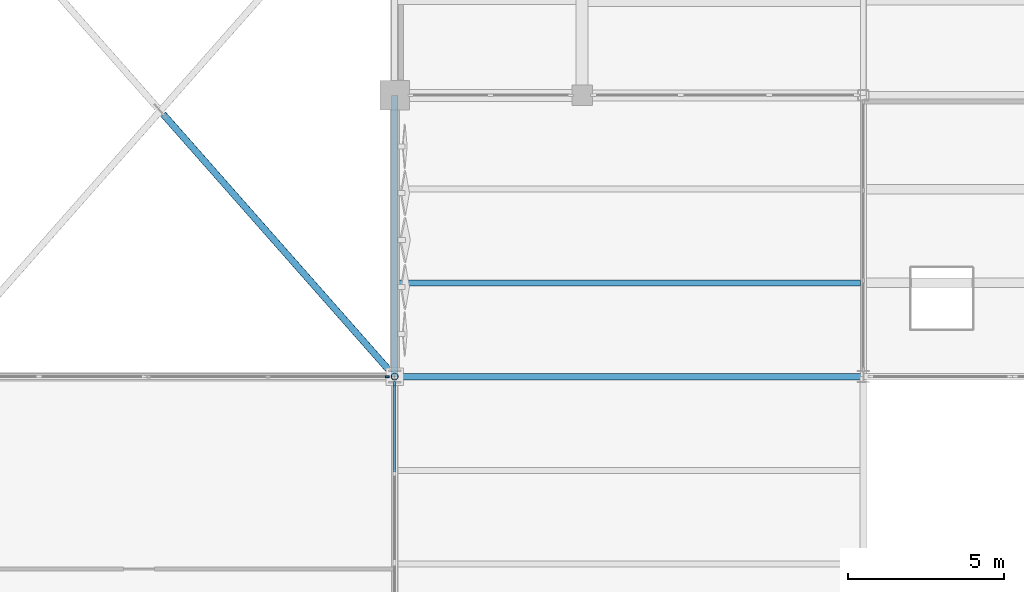
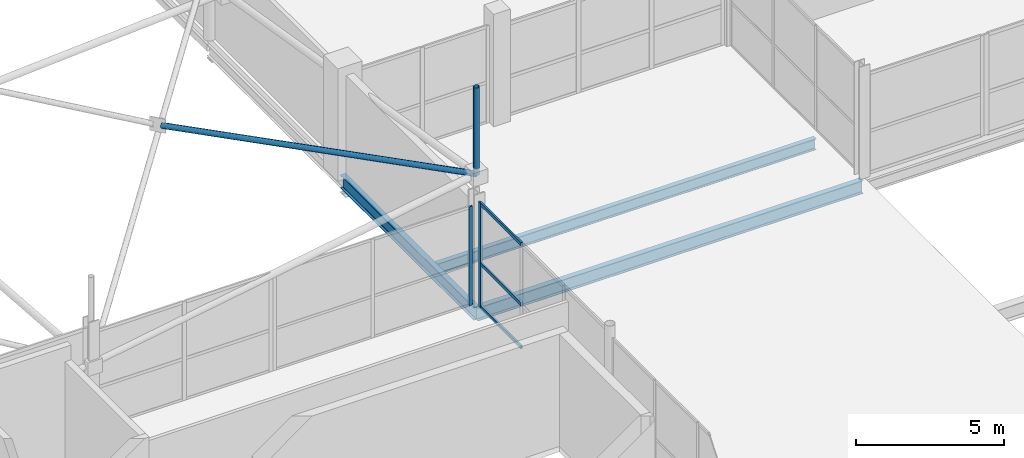
# One storey, part 123 of 224: 7 members, 3 beams, 2 elements without a shape of their own.
"""IFC4 building model written with IfcOpenShell, lengths in metres."""

from ifc_helpers import new_model, si_unit, direction, frame, origin, origin_2d, place, context, subcontext, project, spatial, rectangle, hollow_circle, i_section, extrude, material, layer, layer_set, material_profile, profile_set, type_object, element, aggregate, save


model = new_model("IFC4")

# Units and contexts
model_context = context("Model", 3, precision=1e-05, world=origin(), true_north=direction((0.0, 1.0)))
body_context = subcontext(model_context, "Body", "Model", "MODEL_VIEW")
ifc_project = project(units=[si_unit("LENGTHUNIT", "METRE"), si_unit("AREAUNIT", "SQUARE_METRE"), si_unit("VOLUMEUNIT", "CUBIC_METRE"), si_unit("PLANEANGLEUNIT", "RADIAN"), si_unit("MASSUNIT", "GRAM", prefix="KILO")], contexts=[model_context])

# Site, building, storey
site_placement = place(None, origin())
site = spatial("IfcSite", under=ifc_project, at=site_placement, CompositionType="ELEMENT")
building_placement = place(site_placement, origin())
building = spatial("IfcBuilding", under=site, at=building_placement, Name="Qamarlyn Nura Convention Centre", CompositionType="ELEMENT")
storey_placement = place(building_placement, frame((0.0, 0.0, 10.800048828125)))
storey = spatial("IfcBuildingStorey", under=building, at=storey_placement, Name="L02", CompositionType="ELEMENT", Elevation=10.800048828125)

# Beams
ifc_material_1 = material(Name="Steel ASTM A992", Category="steel")
ifc_material_profile_1 = material_profile(ifc_material_1, i_section(OverallWidth=0.18994140625, OverallDepth=0.45703125, WebThickness=0.009033203125, FlangeThickness=0.014404296875, FilletRadius=0.012939453125, at=origin_2d()), Name="W460X74")
ifc_profile_set_1 = profile_set([ifc_material_profile_1], Name="Steel ASTM A992")
beam_type_1 = type_object("IfcBeamType", Name="BM-JOIST-460", PredefinedType="JOIST", material=ifc_profile_set_1)
beam_1_placement = place(storey_placement, frame((120.10546875, 21.0, -0.448486328125), z_axis=(1.0, 0.0, 0.0), x_axis=(0.0, 1.0, 0.0)))
element("IfcBeam", 1, at=beam_1_placement, inside=storey, type_object=beam_type_1, Name="L02 composite joist 9-11/C+1", PredefinedType="JOIST", context=body_context, shape_type="SweptSolid", body=[
    extrude(i_section(OverallWidth=0.18994140625, OverallDepth=0.45703125, WebThickness=0.009033203125, FlangeThickness=0.014404296875, FilletRadius=0.012939453125, at=origin_2d()), origin(), (0.0, 0.0, 1.0), 14.798095703125),
])
ifc_material_profile_2 = material_profile(ifc_material_1, i_section(OverallWidth=0.2109375, OverallDepth=0.5390625, WebThickness=0.01171875, FlangeThickness=0.018798828125, FilletRadius=0.013916015625, at=origin_2d()), Name="W530X109")
ifc_profile_set_2 = profile_set([ifc_material_profile_2], Name="Steel ASTM A992")
beam_type_2 = type_object("IfcBeamType", Name="BM-SPAN-530", PredefinedType="SPANDREL", material=ifc_profile_set_2)
beam_2_placement = place(storey_placement, frame((120.0, 18.0, -0.41455078125), z_axis=(1.0, 0.0, 0.0), x_axis=(0.0, 1.0, 0.0)))
element("IfcBeam", 2, at=beam_2_placement, inside=storey, type_object=beam_type_2, Name="L02 girder C 9-11", PredefinedType="SPANDREL", context=body_context, shape_type="SweptSolid", body=[
    extrude(i_section(OverallWidth=0.2109375, OverallDepth=0.5390625, WebThickness=0.01171875, FlangeThickness=0.018798828125, FilletRadius=0.013916015625, at=origin_2d()), origin(), (0.0, 0.0, 1.0), 15.0),
])
beam_3_placement = place(storey_placement, frame((120.0, 18.0, -0.41455078125), z_axis=(0.0, 1.0, 0.0), x_axis=(-1.0, 0.0, 0.0)))
element("IfcBeam", 3, at=beam_3_placement, inside=storey, type_object=beam_type_2, Name="L02 girder 9 C-D", PredefinedType="SPANDREL", context=body_context, shape_type="SweptSolid", body=[
    extrude(i_section(OverallWidth=0.2109375, OverallDepth=0.5390625, WebThickness=0.01171875, FlangeThickness=0.018798828125, FilletRadius=0.013916015625, at=origin_2d()), origin(), (0.0, 0.0, 1.0), 9.0),
])

# Curtain wall, member
ifc_material_2 = material(Name="Double-silver low-E insulated glass", Category="glass")
ifc_layer_1 = layer(ifc_material_2, 0.179931640625, Name="CW-UNIT-24")
ifc_layer_set_1 = layer_set([ifc_layer_1], Name="Double-silver low-E insulated glass")
curtain_wall_type_1 = type_object("IfcCurtainWallType", Name="CW-UNIT-24", PredefinedType="NOTDEFINED", material=ifc_layer_set_1)
curtain_wall_1_placement = place(storey_placement, origin())
curtain_wall_1 = element("IfcCurtainWall", 4, at=curtain_wall_1_placement, inside=storey, type_object=curtain_wall_type_1, Name="L02 unitised curtain wall V1-INT-S4-1B", PredefinedType="NOTDEFINED")
ifc_material_3 = material(Name="Champagne-anodised marine aluminium", Category="aluminium")
ifc_material_profile_3 = material_profile(ifc_material_3, rectangle(XDim=0.06005859375, YDim=0.139892578125, at=origin_2d()), Name="ALU MULLION 60x140")
ifc_profile_set_3 = profile_set([ifc_material_profile_3], Name="Champagne-anodised marine aluminium")
member_type_1 = type_object("IfcMemberType", Name="CWM-140", PredefinedType="MULLION", material=ifc_profile_set_3)
member_1_placement = place(storey_placement, frame((119.765380859375, 18.0, 0.0), z_axis=(0.0, 0.0, 1.0), x_axis=(0.0, 1.0, 0.0)))
member_1 = element("IfcMember", 5, at=member_1_placement, type_object=member_type_1, Name="CW24 mullion 3", PredefinedType="MULLION", context=body_context, shape_type="SweptSolid", body=[
    extrude(rectangle(XDim=0.06005859375, YDim=0.139892578125, at=origin_2d()), origin(), (0.0, 0.0, 1.0), 4.071044921875),
])
aggregate(curtain_wall_1, [member_1])

# Curtain wall, members
ifc_layer_2 = layer(ifc_material_2, 0.179931640625, Name="CW-UNIT-32")
ifc_layer_set_2 = layer_set([ifc_layer_2], Name="Double-silver low-E insulated glass")
curtain_wall_type_2 = type_object("IfcCurtainWallType", Name="CW-UNIT-32", PredefinedType="NOTDEFINED", material=ifc_layer_set_2)
curtain_wall_2_placement = place(storey_placement, origin())
curtain_wall_2 = element("IfcCurtainWall", 6, at=curtain_wall_2_placement, inside=storey, type_object=curtain_wall_type_2, Name="L02 unitised curtain wall V1E-2-1", PredefinedType="NOTDEFINED")
ifc_material_profile_4 = material_profile(ifc_material_3, rectangle(XDim=0.070068359375, YDim=0.179931640625, at=origin_2d()), Name="ALU MULLION 70x180")
ifc_profile_set_4 = profile_set([ifc_material_profile_4], Name="Champagne-anodised marine aluminium")
member_type_2 = type_object("IfcMemberType", Name="CWM-180", PredefinedType="MULLION", material=ifc_profile_set_4)
member_2_placement = place(storey_placement, frame((120.0, 17.75244140625, 0.0), z_axis=(0.0, 0.0, 1.0), x_axis=(1.0, 0.0, 0.0)))
member_2 = element("IfcMember", 7, at=member_2_placement, type_object=member_type_2, Name="CW32 mullion 1", PredefinedType="MULLION", context=body_context, shape_type="SweptSolid", body=[
    extrude(rectangle(XDim=0.070068359375, YDim=0.179931640625, at=origin_2d()), origin(), (0.0, 0.0, 1.0), 4.31005859375),
])
ifc_material_profile_5 = material_profile(ifc_material_3, rectangle(XDim=0.070068359375, YDim=0.139892578125, at=origin_2d()), Name="ALU TRANSOM 70x140")
ifc_profile_set_5 = profile_set([ifc_material_profile_5], Name="Champagne-anodised marine aluminium")
member_type_3 = type_object("IfcMemberType", Name="CWT-140", PredefinedType="USERDEFINED", material=ifc_profile_set_5)
member_3_placement = place(storey_placement, frame((120.0, 17.717529296875, 0.034912109375), z_axis=(0.0, -1.0, 0.0), x_axis=(1.0, 0.0, 0.0)))
member_3 = element("IfcMember", 8, at=member_3_placement, type_object=member_type_3, Name="CW32 transom 1.1", ObjectType="TRANSOM", PredefinedType="USERDEFINED", context=body_context, shape_type="SweptSolid", body=[
    extrude(rectangle(XDim=0.070068359375, YDim=0.139892578125, at=origin_2d()), origin(), (0.0, 0.0, 1.0), 2.764892578125),
])
member_4_placement = place(storey_placement, frame((120.0, 17.717529296875, 1.81005859375), z_axis=(0.0, -1.0, 0.0), x_axis=(1.0, 0.0, 0.0)))
member_4 = element("IfcMember", 9, at=member_4_placement, type_object=member_type_3, Name="CW32 transom 1.2", ObjectType="TRANSOM", PredefinedType="USERDEFINED", context=body_context, shape_type="SweptSolid", body=[
    extrude(rectangle(XDim=0.070068359375, YDim=0.139892578125, at=origin_2d()), origin(), (0.0, 0.0, 1.0), 2.764892578125),
])
member_5_placement = place(storey_placement, frame((120.0, 17.717529296875, 4.27490234375), z_axis=(0.0, -1.0, 0.0), x_axis=(1.0, 0.0, 0.0)))
member_5 = element("IfcMember", 10, at=member_5_placement, type_object=member_type_3, Name="CW32 transom 1.3", ObjectType="TRANSOM", PredefinedType="USERDEFINED", context=body_context, shape_type="SweptSolid", body=[
    extrude(rectangle(XDim=0.070068359375, YDim=0.139892578125, at=origin_2d()), origin(), (0.0, 0.0, 1.0), 2.764892578125),
])
aggregate(curtain_wall_2, [member_2, member_3, member_4, member_5])

# Members
ifc_material_4 = material(Name="Pearl-white PVDF steel ASTM A500 Grade C", Category="steel")
ifc_material_profile_6 = material_profile(ifc_material_4, hollow_circle(Radius=0.109619140625, WallThickness=0.010009765625, at=origin_2d()), Name="CHS219.1X10")
ifc_profile_set_6 = profile_set([ifc_material_profile_6], Name="Pearl-white PVDF steel ASTM A500 Grade C")
member_type_4 = type_object("IfcMemberType", Name="SF-WEB-HVY", PredefinedType="BRACE", material=ifc_profile_set_6)
member_6_placement = place(storey_placement, frame((120.0, 18.0, 5.314208984375), z_axis=(-0.660965303588, 0.749083844605, -0.044701914998), x_axis=(-0.749833400742, -0.661626685625, 0.0)))
element("IfcMember", 11, at=member_6_placement, inside=storey, type_object=member_type_4, Name="ROOF TRUSS space frame split diagonal B1 9-2", PredefinedType="BRACE", context=body_context, shape_type="SweptSolid", body=[
    extrude(hollow_circle(Radius=0.109619140625, WallThickness=0.010009765625, at=origin_2d()), origin(), (0.0, 0.0, 1.0), 11.20703125),
])
member_7_placement = place(storey_placement, frame((120.0, 18.0, 5.314208984375), z_axis=(0.0, 0.0, 1.0), x_axis=(1.0, 0.0, 0.0)))
element("IfcMember", 12, at=member_7_placement, inside=storey, type_object=member_type_4, Name="ROOF TRUSS space frame vertical 10-2", PredefinedType="BRACE", context=body_context, shape_type="SweptSolid", body=[
    extrude(hollow_circle(Radius=0.109619140625, WallThickness=0.010009765625, at=origin_2d()), origin(), (0.0, 0.0, 1.0), 3.599853515625),
])

save(model, "model.ifc")
